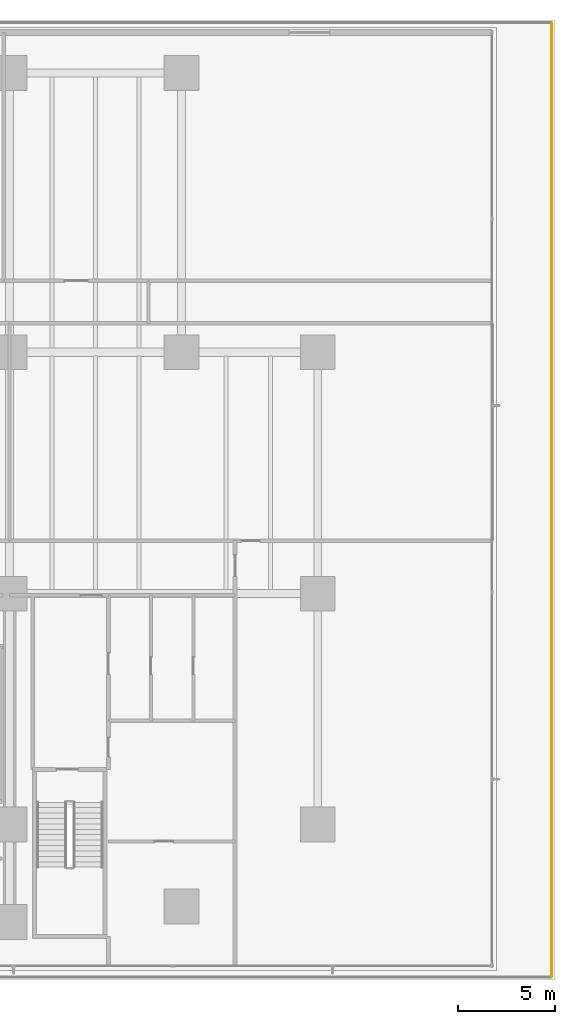
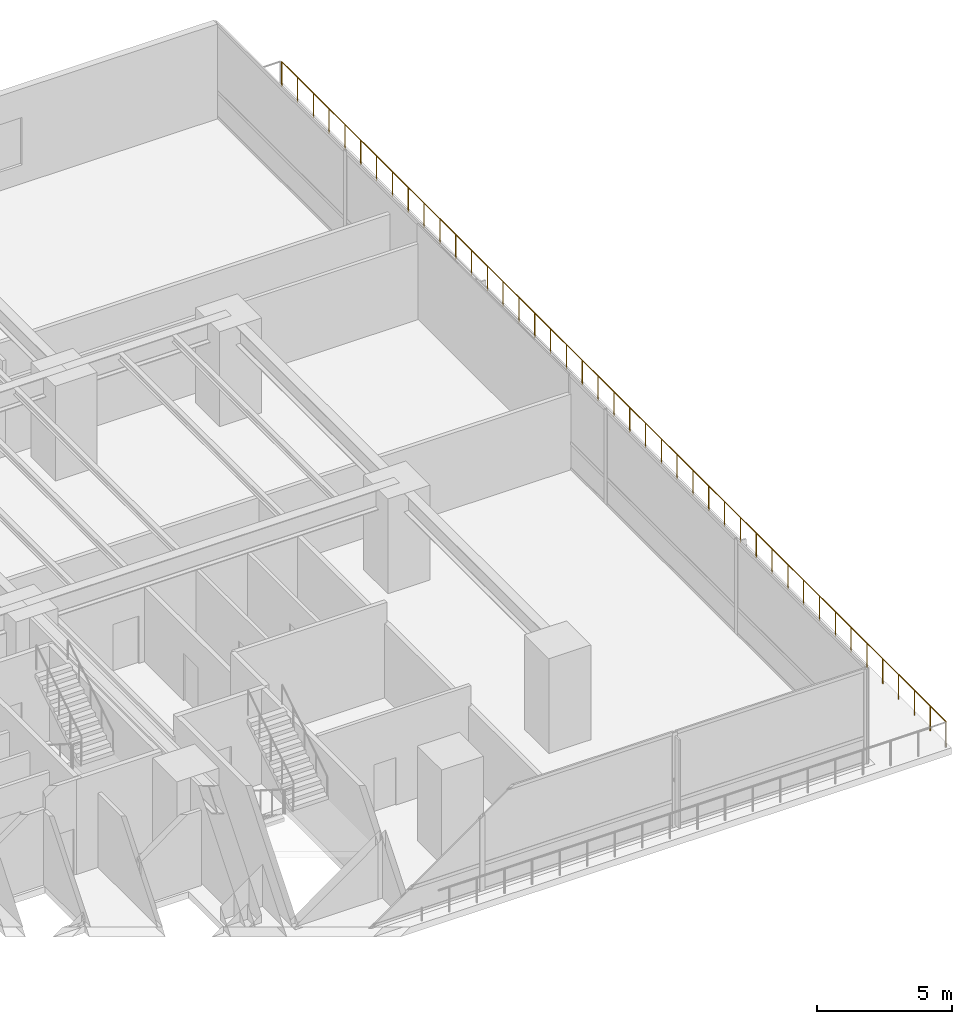
# One storey, part 24 of 24: 1 railing.
"""IFC4 building model written with IfcOpenShell, lengths in metres."""

from ifc_helpers import new_model, si_unit, direction, frame, origin, origin_2d, place, context, subcontext, project, spatial, circle, extrude, material, type_object, element, save


model = new_model("IFC4")

# Units and contexts
model_context = context("Model", 3, precision=1e-05, world=origin(), true_north=direction((0.0, 1.0)))
body_context = subcontext(model_context, "Body", "Model", "MODEL_VIEW")
ifc_project = project(units=[si_unit("LENGTHUNIT", "METRE"), si_unit("AREAUNIT", "SQUARE_METRE"), si_unit("VOLUMEUNIT", "CUBIC_METRE"), si_unit("PLANEANGLEUNIT", "RADIAN"), si_unit("MASSUNIT", "GRAM", prefix="KILO")], contexts=[model_context])

# Site, building, storey
site_placement = place(None, origin())
site = spatial("IfcSite", under=ifc_project, at=site_placement, CompositionType="ELEMENT")
building_placement = place(site_placement, origin())
building = spatial("IfcBuilding", under=site, at=building_placement, Name="Qalmaran Belvedere Hotel", CompositionType="ELEMENT")
storey_placement = place(building_placement, frame((0.0, 0.0, 14.60009765625)))
storey = spatial("IfcBuildingStorey", under=building, at=storey_placement, Name="L03", CompositionType="ELEMENT", Elevation=14.60009765625)

# Railing
ifc_material = material(Name="Anodised Bronze Aluminium", Category="aluminium")
railing_type = type_object("IfcRailingType", Name="GRD-TERR-1150", PredefinedType="BALUSTRADE", material=ifc_material)
railing_placement = place(storey_placement, frame((72.860107421875, 0.675048828125, 0.0)))
element("IfcRailing", 1, at=railing_placement, inside=storey, type_object=railing_type, Name="L03 Guardrail L03-TERR-2", PredefinedType="BALUSTRADE", context=body_context, shape_type="SweptSolid", body=[
    extrude(circle(Radius=0.02392578125, at=origin_2d()), frame((0.0, 0.0, 1.1259765625), z_axis=(0.0, 1.0, 0.0), x_axis=(-1.0, 0.0, 0.0)), (0.0, 0.0, 1.0), 49.349853515625),
    extrude(circle(Radius=0.02099609375, at=origin_2d()), origin(), (0.0, 0.0, 1.0), 1.101806640625),
    extrude(circle(Radius=0.02099609375, at=origin_2d()), frame((0.0, 1.175048828125, 0.0)), (0.0, 0.0, 1.0), 1.101806640625),
    extrude(circle(Radius=0.02099609375, at=origin_2d()), frame((0.0, 2.35009765625, 0.0)), (0.0, 0.0, 1.0), 1.101806640625),
    extrude(circle(Radius=0.02099609375, at=origin_2d()), frame((0.0, 3.52490234375, 0.0)), (0.0, 0.0, 1.0), 1.101806640625),
    extrude(circle(Radius=0.02099609375, at=origin_2d()), frame((0.0, 4.699951171875, 0.0)), (0.0, 0.0, 1.0), 1.101806640625),
    extrude(circle(Radius=0.02099609375, at=origin_2d()), frame((0.0, 5.875, 0.0)), (0.0, 0.0, 1.0), 1.101806640625),
    extrude(circle(Radius=0.02099609375, at=origin_2d()), frame((0.0, 7.050048828125, 0.0)), (0.0, 0.0, 1.0), 1.101806640625),
    extrude(circle(Radius=0.02099609375, at=origin_2d()), frame((0.0, 8.22509765625, 0.0)), (0.0, 0.0, 1.0), 1.101806640625),
    extrude(circle(Radius=0.02099609375, at=origin_2d()), frame((0.0, 9.39990234375, 0.0)), (0.0, 0.0, 1.0), 1.101806640625),
    extrude(circle(Radius=0.02099609375, at=origin_2d()), frame((0.0, 10.574951171875, 0.0)), (0.0, 0.0, 1.0), 1.101806640625),
    extrude(circle(Radius=0.02099609375, at=origin_2d()), frame((0.0, 11.75, 0.0)), (0.0, 0.0, 1.0), 1.101806640625),
    extrude(circle(Radius=0.02099609375, at=origin_2d()), frame((0.0, 12.925048828125, 0.0)), (0.0, 0.0, 1.0), 1.101806640625),
    extrude(circle(Radius=0.02099609375, at=origin_2d()), frame((0.0, 14.099853515625, 0.0)), (0.0, 0.0, 1.0), 1.101806640625),
    extrude(circle(Radius=0.02099609375, at=origin_2d()), frame((0.0, 15.27490234375, 0.0)), (0.0, 0.0, 1.0), 1.101806640625),
    extrude(circle(Radius=0.02099609375, at=origin_2d()), frame((0.0, 16.449951171875, 0.0)), (0.0, 0.0, 1.0), 1.101806640625),
    extrude(circle(Radius=0.02099609375, at=origin_2d()), frame((0.0, 17.625, 0.0)), (0.0, 0.0, 1.0), 1.101806640625),
    extrude(circle(Radius=0.02099609375, at=origin_2d()), frame((0.0, 18.800048828125, 0.0)), (0.0, 0.0, 1.0), 1.101806640625),
    extrude(circle(Radius=0.02099609375, at=origin_2d()), frame((0.0, 19.974853515625, 0.0)), (0.0, 0.0, 1.0), 1.101806640625),
    extrude(circle(Radius=0.02099609375, at=origin_2d()), frame((0.0, 21.14990234375, 0.0)), (0.0, 0.0, 1.0), 1.101806640625),
    extrude(circle(Radius=0.02099609375, at=origin_2d()), frame((0.0, 22.324951171875, 0.0)), (0.0, 0.0, 1.0), 1.101806640625),
    extrude(circle(Radius=0.02099609375, at=origin_2d()), frame((0.0, 23.5, 0.0)), (0.0, 0.0, 1.0), 1.101806640625),
    extrude(circle(Radius=0.02099609375, at=origin_2d()), frame((0.0, 24.6748046875, 0.0)), (0.0, 0.0, 1.0), 1.101806640625),
    extrude(circle(Radius=0.02099609375, at=origin_2d()), frame((0.0, 25.849853515625, 0.0)), (0.0, 0.0, 1.0), 1.101806640625),
    extrude(circle(Radius=0.02099609375, at=origin_2d()), frame((0.0, 27.02490234375, 0.0)), (0.0, 0.0, 1.0), 1.101806640625),
    extrude(circle(Radius=0.02099609375, at=origin_2d()), frame((0.0, 28.199951171875, 0.0)), (0.0, 0.0, 1.0), 1.101806640625),
    extrude(circle(Radius=0.02099609375, at=origin_2d()), frame((0.0, 29.375, 0.0)), (0.0, 0.0, 1.0), 1.101806640625),
    extrude(circle(Radius=0.02099609375, at=origin_2d()), frame((0.0, 30.5498046875, 0.0)), (0.0, 0.0, 1.0), 1.101806640625),
    extrude(circle(Radius=0.02099609375, at=origin_2d()), frame((0.0, 31.724853515625, 0.0)), (0.0, 0.0, 1.0), 1.101806640625),
    extrude(circle(Radius=0.02099609375, at=origin_2d()), frame((0.0, 32.89990234375, 0.0)), (0.0, 0.0, 1.0), 1.101806640625),
    extrude(circle(Radius=0.02099609375, at=origin_2d()), frame((0.0, 34.074951171875, 0.0)), (0.0, 0.0, 1.0), 1.101806640625),
    extrude(circle(Radius=0.02099609375, at=origin_2d()), frame((0.0, 35.25, 0.0)), (0.0, 0.0, 1.0), 1.101806640625),
    extrude(circle(Radius=0.02099609375, at=origin_2d()), frame((0.0, 36.4248046875, 0.0)), (0.0, 0.0, 1.0), 1.101806640625),
    extrude(circle(Radius=0.02099609375, at=origin_2d()), frame((0.0, 37.599853515625, 0.0)), (0.0, 0.0, 1.0), 1.101806640625),
    extrude(circle(Radius=0.02099609375, at=origin_2d()), frame((0.0, 38.77490234375, 0.0)), (0.0, 0.0, 1.0), 1.101806640625),
    extrude(circle(Radius=0.02099609375, at=origin_2d()), frame((0.0, 39.949951171875, 0.0)), (0.0, 0.0, 1.0), 1.101806640625),
    extrude(circle(Radius=0.02099609375, at=origin_2d()), frame((0.0, 41.125, 0.0)), (0.0, 0.0, 1.0), 1.101806640625),
    extrude(circle(Radius=0.02099609375, at=origin_2d()), frame((0.0, 42.2998046875, 0.0)), (0.0, 0.0, 1.0), 1.101806640625),
    extrude(circle(Radius=0.02099609375, at=origin_2d()), frame((0.0, 43.474853515625, 0.0)), (0.0, 0.0, 1.0), 1.101806640625),
    extrude(circle(Radius=0.02099609375, at=origin_2d()), frame((0.0, 44.64990234375, 0.0)), (0.0, 0.0, 1.0), 1.101806640625),
    extrude(circle(Radius=0.02099609375, at=origin_2d()), frame((0.0, 45.824951171875, 0.0)), (0.0, 0.0, 1.0), 1.101806640625),
    extrude(circle(Radius=0.02099609375, at=origin_2d()), frame((0.0, 46.999755859375, 0.0)), (0.0, 0.0, 1.0), 1.101806640625),
    extrude(circle(Radius=0.02099609375, at=origin_2d()), frame((0.0, 48.1748046875, 0.0)), (0.0, 0.0, 1.0), 1.101806640625),
    extrude(circle(Radius=0.02099609375, at=origin_2d()), frame((0.0, 49.349853515625, 0.0)), (0.0, 0.0, 1.0), 1.101806640625),
])

save(model, "model.ifc")
